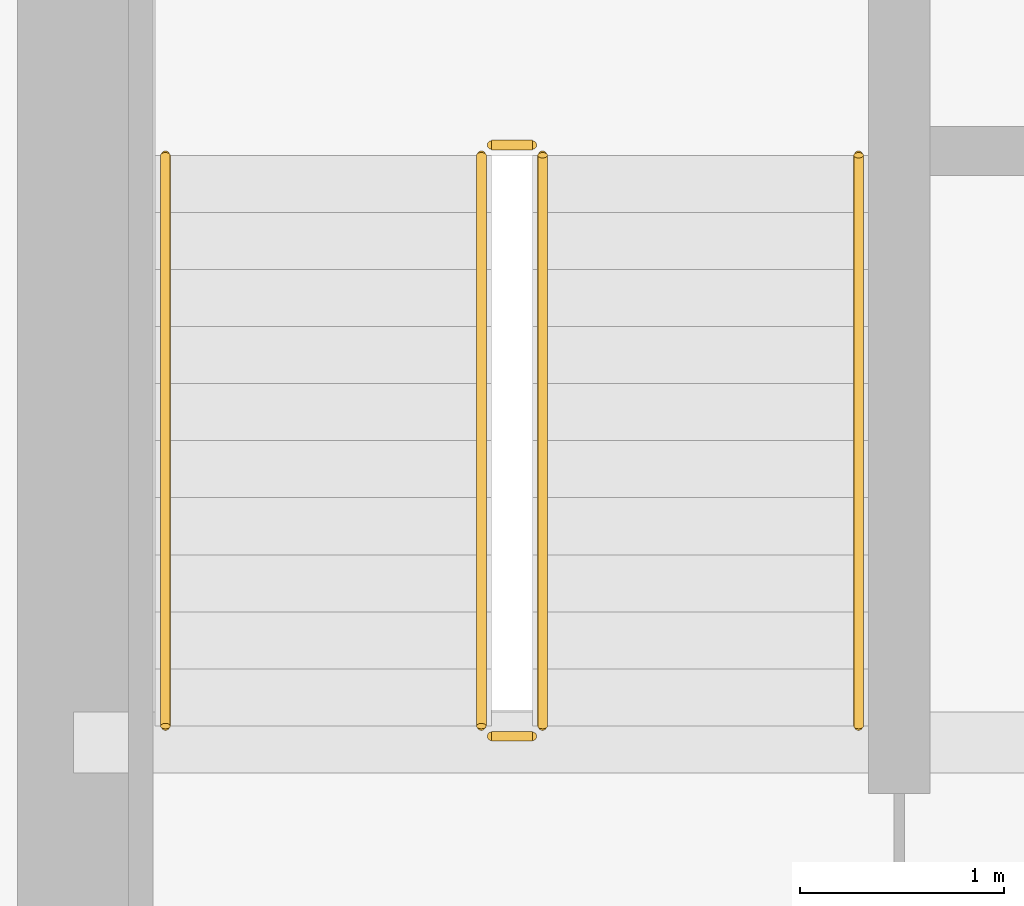
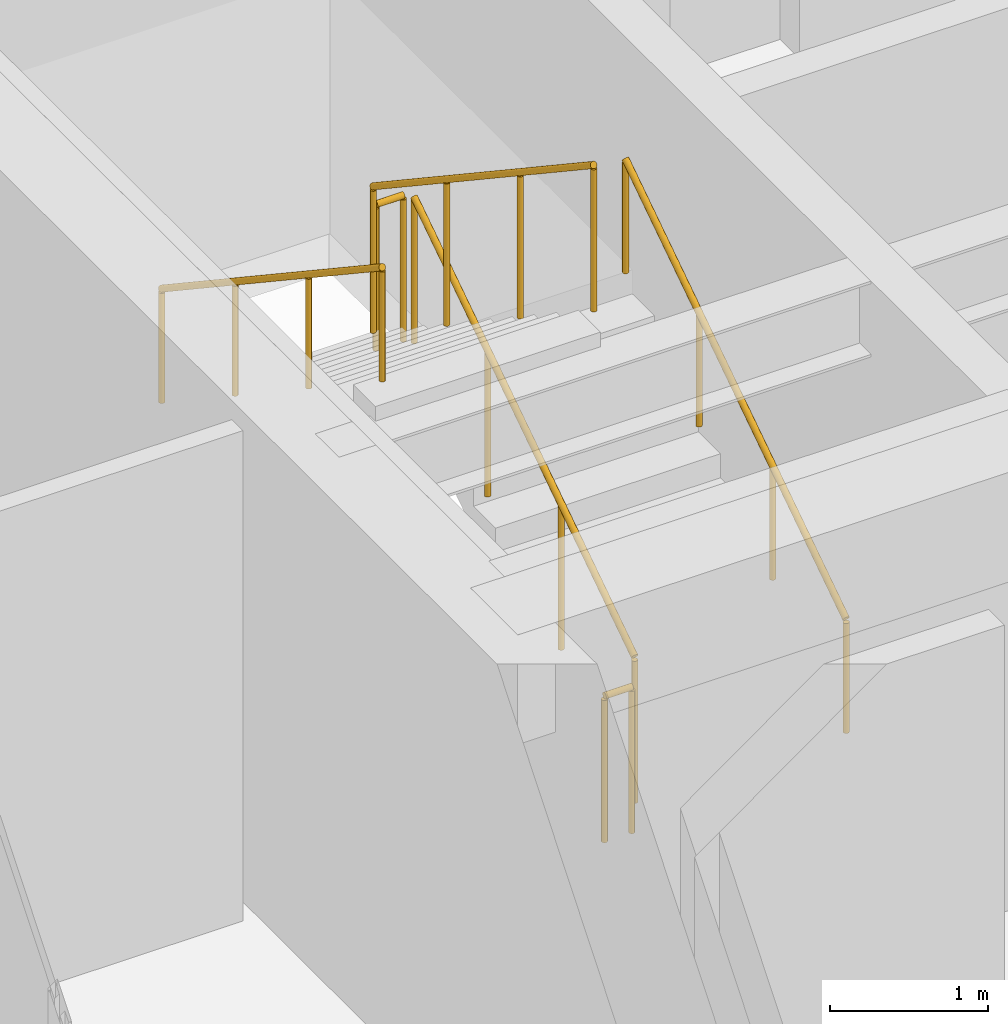
# One storey, part 32 of 33: 6 railings.
"""IFC4 building model written with IfcOpenShell, lengths in metres."""

from ifc_helpers import new_model, si_unit, direction, frame, origin, origin_2d, place, context, subcontext, project, spatial, circle, extrude, source, transform, mapped, material, type_object, type_shapes, element, save


model = new_model("IFC4")

# Units and contexts
model_context = context("Model", 3, precision=1e-05, world=origin(), true_north=direction((0.0, 1.0)))
body_context = subcontext(model_context, "Body", "Model", "MODEL_VIEW")
ifc_project = project(units=[si_unit("LENGTHUNIT", "METRE"), si_unit("AREAUNIT", "SQUARE_METRE"), si_unit("VOLUMEUNIT", "CUBIC_METRE"), si_unit("PLANEANGLEUNIT", "RADIAN"), si_unit("MASSUNIT", "GRAM", prefix="KILO")], contexts=[model_context])

# Site, building, storey
site_placement = place(None, origin())
site = spatial("IfcSite", under=ifc_project, at=site_placement, CompositionType="ELEMENT")
building_placement = place(site_placement, origin())
building = spatial("IfcBuilding", under=site, at=building_placement, Name="Haelvirn Gate Laboratories", CompositionType="ELEMENT")
storey_placement = place(building_placement, frame((0.0, 0.0, 250.60009765625)))
storey = spatial("IfcBuildingStorey", under=building, at=storey_placement, Name="L60", CompositionType="ELEMENT", Elevation=250.60009765625)

# Railings
ifc_material_1 = material(Name="Galvanised steel SM355 & stainless top rail", Category="steel")
railing_type_1 = type_object("IfcRailingType", Name="RL-GUARD-1150", PredefinedType="GUARDRAIL", material=ifc_material_1)
shared_shape_1 = source(origin(), body_context, "Body", "SweptSolid", [
    extrude(circle(Radius=0.02392578125, at=origin_2d()), frame((0.0, 0.0, 1.1259765625), z_axis=(-1.0, 0.0, 0.0), x_axis=(0.0, -1.0, 0.0)), (0.0, 0.0, 1.0), 0.199951171875),
    extrude(circle(Radius=0.02099609375, at=origin_2d()), origin(), (0.0, 0.0, 1.0), 1.101806640625),
    extrude(circle(Radius=0.02099609375, at=origin_2d()), frame((-0.199951171875, 0.0, 0.0)), (0.0, 0.0, 1.0), 1.101806640625),
])
for number, where, name in (
    (1, (9.64990234375, 29.550048828125, 2.0498046875), "L60 ST1 stair guard 2"),
    (2, (9.64990234375, 26.64990234375, 0.0), "L60 ST1 stair guard 4"),
):
    element("IfcRailing", number, at=place(storey_placement, frame(where)), inside=storey, type_object=railing_type_1, Name=name, PredefinedType="GUARDRAIL", context=body_context, shape_type="MappedRepresentation", body=[
        mapped(shared_shape_1, transform((0.0, 0.0, 0.0), scale=1.0)),
    ])
shared_shape_2 = source(origin(), body_context, "Body", "SweptSolid", [
    extrude(circle(Radius=0.02392578125, at=origin_2d()), frame((0.0, 0.0, 1.1259765625), z_axis=(0.0, 0.832485552168, 0.554046753832), x_axis=(-1.0, 0.0, 0.0)), (0.0, 0.0, 1.0), 3.363525390625),
    extrude(circle(Radius=0.02099609375, at=origin_2d()), origin(), (0.0, 0.0, 1.0), 1.101806640625),
    extrude(circle(Radius=0.02099609375, at=origin_2d()), frame((0.0, 0.933349609375, 0.62109375)), (0.0, 0.0, 1.0), 1.101806640625),
    extrude(circle(Radius=0.02099609375, at=origin_2d()), frame((0.0, 1.86669921875, 1.242431640625)), (0.0, 0.0, 1.0), 1.101806640625),
    extrude(circle(Radius=0.02099609375, at=origin_2d()), frame((0.0, 2.800048828125, 1.863525390625)), (0.0, 0.0, 1.0), 1.101806640625),
])
railing_1_placement = place(storey_placement, frame((9.699951171875, 26.699951171875, 0.186279296875)))
element("IfcRailing", 3, at=railing_1_placement, inside=storey, type_object=railing_type_1, Name="L60 ST1 stair guard 1", PredefinedType="GUARDRAIL", context=body_context, shape_type="MappedRepresentation", body=[
    mapped(shared_shape_2, transform((0.0, 0.0, 0.0), scale=1.0)),
])
ifc_material_2 = material(Name="Brushed stainless steel 316L", Category="steel")
railing_type_2 = type_object("IfcRailingType", Name="RL-HAND-920", PredefinedType="HANDRAIL", material=ifc_material_2)
shared_shape_3 = source(origin(), body_context, "Body", "SweptSolid", [
    extrude(circle(Radius=0.02392578125, at=origin_2d()), frame((0.0, 0.0, 0.8759765625), z_axis=(0.0, 0.832485552168, 0.554046753832), x_axis=(-1.0, 0.0, 0.0)), (0.0, 0.0, 1.0), 3.363525390625),
    extrude(circle(Radius=0.02099609375, at=origin_2d()), origin(), (0.0, 0.0, 1.0), 0.851806640625),
    extrude(circle(Radius=0.02099609375, at=origin_2d()), frame((0.0, 0.933349609375, 0.62109375)), (0.0, 0.0, 1.0), 0.851806640625),
    extrude(circle(Radius=0.02099609375, at=origin_2d()), frame((0.0, 1.86669921875, 1.242431640625)), (0.0, 0.0, 1.0), 0.851806640625),
    extrude(circle(Radius=0.02099609375, at=origin_2d()), frame((0.0, 2.800048828125, 1.863525390625)), (0.0, 0.0, 1.0), 0.851806640625),
])
railing_2_placement = place(storey_placement, frame((11.25, 26.699951171875, 0.186279296875)))
element("IfcRailing", 4, at=railing_2_placement, inside=storey, type_object=railing_type_2, Name="L60 ST1 stair handrail 1", PredefinedType="HANDRAIL", context=body_context, shape_type="MappedRepresentation", body=[
    mapped(shared_shape_3, transform((0.0, 0.0, 0.0), scale=1.0)),
])
shared_shape_4 = source(origin(), body_context, "Body", "SweptSolid", [
    extrude(circle(Radius=0.02392578125, at=origin_2d()), frame((0.0, 0.0, 1.1259765625), z_axis=(0.0, -0.832485552168, 0.554046753832), x_axis=(1.0, 0.0, 0.0)), (0.0, 0.0, 1.0), 3.363525390625),
    extrude(circle(Radius=0.02099609375, at=origin_2d()), origin(), (0.0, 0.0, 1.0), 1.101806640625),
    extrude(circle(Radius=0.02099609375, at=origin_2d()), frame((0.0, -0.933349609375, 0.62109375)), (0.0, 0.0, 1.0), 1.101806640625),
    extrude(circle(Radius=0.02099609375, at=origin_2d()), frame((0.0, -1.86669921875, 1.242431640625)), (0.0, 0.0, 1.0), 1.101806640625),
    extrude(circle(Radius=0.02099609375, at=origin_2d()), frame((0.0, -2.800048828125, 1.863525390625)), (0.0, 0.0, 1.0), 1.101806640625),
])
type_shapes(railing_type_1, [shared_shape_1, shared_shape_2, shared_shape_4])
railing_3_placement = place(storey_placement, frame((9.39990234375, 29.5, 2.236328125)))
element("IfcRailing", 5, at=railing_3_placement, inside=storey, type_object=railing_type_1, Name="L60 ST1 stair guard 3", PredefinedType="GUARDRAIL", context=body_context, shape_type="MappedRepresentation", body=[
    mapped(shared_shape_4, transform((0.0, 0.0, 0.0), scale=1.0)),
])
shared_shape_5 = source(origin(), body_context, "Body", "SweptSolid", [
    extrude(circle(Radius=0.02392578125, at=origin_2d()), frame((0.0, 0.0, 0.8759765625), z_axis=(0.0, -0.832485552168, 0.554046753832), x_axis=(1.0, 0.0, 0.0)), (0.0, 0.0, 1.0), 3.363525390625),
    extrude(circle(Radius=0.02099609375, at=origin_2d()), origin(), (0.0, 0.0, 1.0), 0.851806640625),
    extrude(circle(Radius=0.02099609375, at=origin_2d()), frame((0.0, -0.933349609375, 0.62109375)), (0.0, 0.0, 1.0), 0.851806640625),
    extrude(circle(Radius=0.02099609375, at=origin_2d()), frame((0.0, -1.86669921875, 1.242431640625)), (0.0, 0.0, 1.0), 0.851806640625),
    extrude(circle(Radius=0.02099609375, at=origin_2d()), frame((0.0, -2.800048828125, 1.863525390625)), (0.0, 0.0, 1.0), 0.851806640625),
])
type_shapes(railing_type_2, [shared_shape_3, shared_shape_5])
railing_4_placement = place(storey_placement, frame((7.85009765625, 29.5, 2.236328125)))
element("IfcRailing", 6, at=railing_4_placement, inside=storey, type_object=railing_type_2, Name="L60 ST1 stair handrail 2", PredefinedType="HANDRAIL", context=body_context, shape_type="MappedRepresentation", body=[
    mapped(shared_shape_5, transform((0.0, 0.0, 0.0), scale=1.0)),
])

save(model, "model.ifc")
